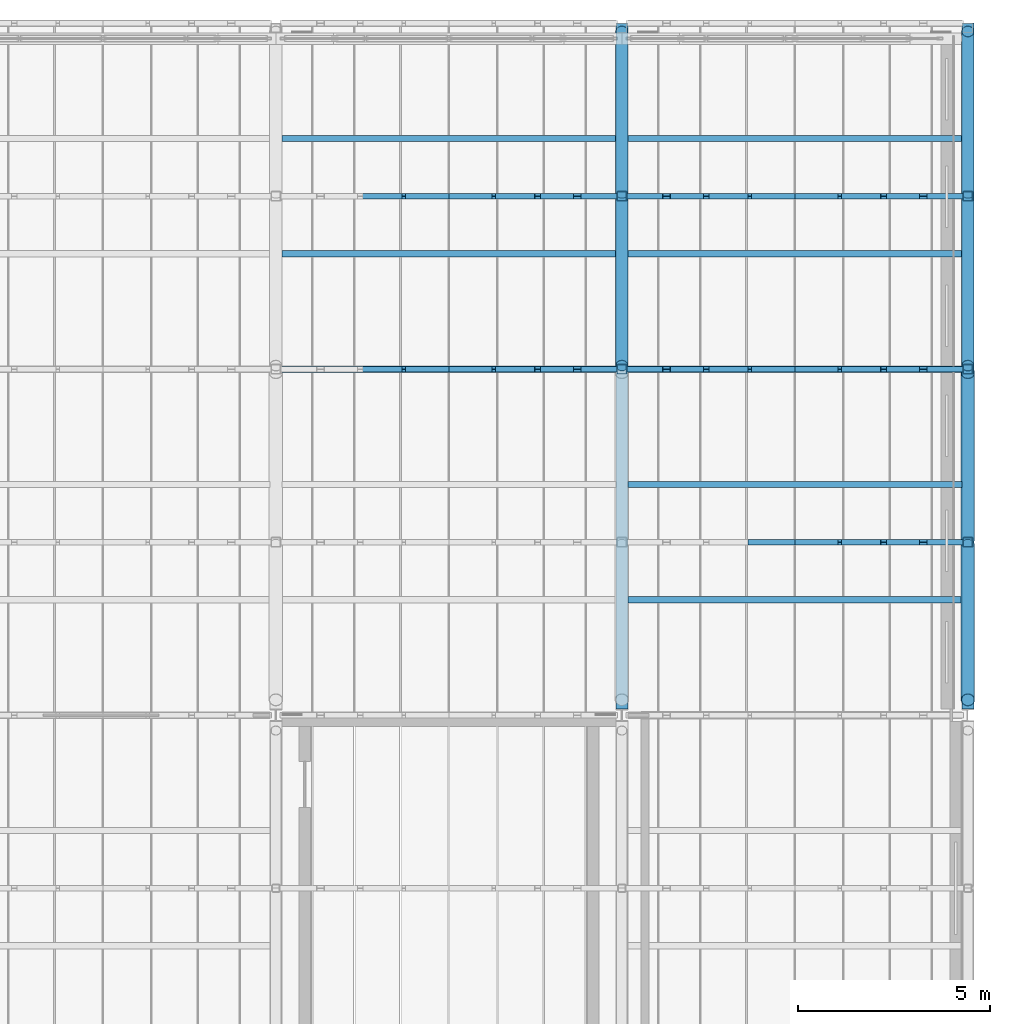
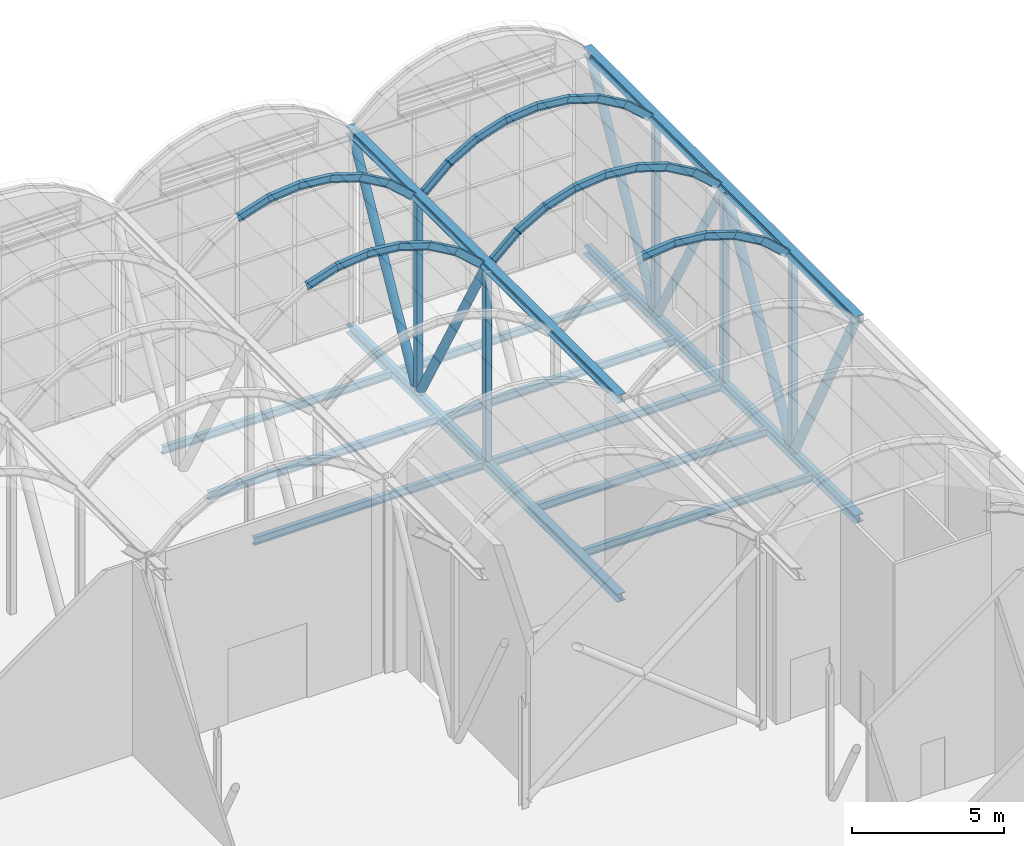
# One storey, part 109 of 144: 44 members, 12 beams.
"""IFC4 building model written with IfcOpenShell, lengths in metres."""

import ifcopenshell
import ifcopenshell.guid

model = None  # the IFC model being written
_history = None  # IfcOwnerHistory: only IFC2X3 demands one
_inside = {}  # id of a spatial element -> (the spatial element, [elements in it])
_under = {}  # id of a project, library or spatial element -> (it, [spatial elements below it])
_declared = {}  # id of a project -> (the project, [libraries it declares])
_typed = {}  # id of a type object -> (the type object, [elements of that type])
_made_of = {}  # id of a material, layer set ... -> (it, [elements and type objects made of it])


def new_model(schema):
    """Start an empty IFC model of exactly this schema.

    Asked for "IFC4X3", IfcOpenShell would pick the latest addendum, in which some entities
    have other attributes; the version numbers below select the first issue.
    IFC2X3 requires an IfcOwnerHistory on every rooted entity: one is made here for all.
    """
    global model, _history
    if schema == "IFC4X3":
        model = ifcopenshell.file(schema_version=(4, 3, 0, 0))
    else:
        model = ifcopenshell.file(schema=schema)
    _inside.clear()
    _under.clear()
    _declared.clear()
    _typed.clear()
    _made_of.clear()
    _history = None
    if model.schema == "IFC2X3":
        org = make("IfcOrganization", Name="unknown")
        user = make(
            "IfcPersonAndOrganization",
            ThePerson=make("IfcPerson", FamilyName="unknown"),
            TheOrganization=org,
        )
        app = make(
            "IfcApplication",
            ApplicationDeveloper=org,
            Version="unknown",
            ApplicationFullName="unknown",
            ApplicationIdentifier="unknown",
        )
        _history = make(
            "IfcOwnerHistory",
            OwningUser=user,
            OwningApplication=app,
            ChangeAction="ADDED",
            CreationDate=0,
        )
    return model


def make(cls, **values):
    """One entity of the class cls with the attributes given. An attribute that is None is left unset."""
    return model.create_entity(
        cls, **{name: value for name, value in values.items() if value is not None}
    )


def rooted(cls, **values):
    """An entity with a GlobalId (a new one), such as an element, a storey or a relation."""
    return make(cls, GlobalId=ifcopenshell.guid.new(), OwnerHistory=_history, **values)


def si_unit(unit_type, name, prefix=None):
    """IfcSIUnit, for example si_unit("LENGTHUNIT", "METRE", prefix="MILLI")."""
    return make("IfcSIUnit", UnitType=unit_type, Prefix=prefix, Name=name)


def assignment(units):
    """IfcUnitAssignment: the units of a project."""
    return None if units is None else make("IfcUnitAssignment", Units=units)


def point(xyz):
    """IfcCartesianPoint."""
    return None if xyz is None else make("IfcCartesianPoint", Coordinates=xyz)


def direction(xyz):
    """IfcDirection."""
    return None if xyz is None else make("IfcDirection", DirectionRatios=xyz)


def frame(location, z_axis=None, x_axis=None):
    """IfcAxis2Placement3D, a coordinate frame: its origin and axes. An axis left out is left unset."""
    return make(
        "IfcAxis2Placement3D",
        Location=point(location),
        Axis=direction(z_axis),
        RefDirection=direction(x_axis),
    )


def frame_2d(location, x_axis=None):
    """IfcAxis2Placement2D, a coordinate frame in the plane: its origin and x axis."""
    return make(
        "IfcAxis2Placement2D", Location=point(location), RefDirection=direction(x_axis)
    )


def origin():
    """The frame at (0, 0, 0) with its axes left unset."""
    return frame((0.0, 0.0, 0.0))


def origin_2d():
    """The frame at (0, 0) in the plane with its x axis left unset."""
    return frame_2d((0.0, 0.0))


def place(relative_to, where):
    """IfcLocalPlacement: puts the frame where relative to a parent placement (None: the world)."""
    return make(
        "IfcLocalPlacement", PlacementRelTo=relative_to, RelativePlacement=where
    )


def context(
    kind, dimensions, precision=None, world=None, true_north=None, identifier=None
):
    """IfcGeometricRepresentationContext, for example the 3D "Model" context."""
    return make(
        "IfcGeometricRepresentationContext",
        ContextIdentifier=identifier,
        ContextType=kind,
        CoordinateSpaceDimension=dimensions,
        Precision=precision,
        WorldCoordinateSystem=world,
        TrueNorth=true_north,
    )


def subcontext(parent, identifier, kind, view, scale=None):
    """IfcGeometricRepresentationSubContext, for example "Body" below "Model"."""
    return make(
        "IfcGeometricRepresentationSubContext",
        ContextIdentifier=identifier,
        ContextType=kind,
        ParentContext=parent,
        TargetScale=scale,
        TargetView=view,
    )


def project(units=None, contexts=None):
    """IfcProject with its units and contexts."""
    return rooted(
        "IfcProject",
        Name="project",
        RepresentationContexts=contexts,
        UnitsInContext=assignment(units),
    )


def spatial(cls, under=None, at=None, **own):
    """A site, building, storey or space (cls), placed at a placement, below another one or the project."""
    s = rooted(cls, ObjectPlacement=at, **own)
    if under is not None:
        _under.setdefault(under.id(), (under, []))[1].append(s)
    return s


def profile(cls, at=None, kind="AREA", **sizes):
    """A parametric profile (cls). Its sizes go by their IFC names, for example OverallWidth=200.0."""
    return make(cls, ProfileType=kind, Position=at, **sizes)


def hollow_rectangle(**sizes):
    """IfcRectangleHollowProfileDef."""
    return profile("IfcRectangleHollowProfileDef", **sizes)


def hollow_circle(**sizes):
    """IfcCircleHollowProfileDef."""
    return profile("IfcCircleHollowProfileDef", **sizes)


def i_section(**sizes):
    """IfcIShapeProfileDef."""
    return profile("IfcIShapeProfileDef", **sizes)


def extrude(swept, where, along, depth):
    """IfcExtrudedAreaSolid: the profile swept, set in the frame where, extruded along a direction by depth."""
    return make(
        "IfcExtrudedAreaSolid",
        SweptArea=swept,
        Position=where,
        ExtrudedDirection=direction(along),
        Depth=depth,
    )


def shape(context_of_items, identifier, shape_type, items):
    """IfcShapeRepresentation: the items that make up one representation, for example the "Body"."""
    return make(
        "IfcShapeRepresentation",
        ContextOfItems=context_of_items,
        RepresentationIdentifier=identifier,
        RepresentationType=shape_type,
        Items=items,
    )


def material(Name=None, Category=None):
    """IfcMaterial."""
    return make("IfcMaterial", Name=Name, Category=Category)


def material_profile(
    of_material, cross_section, Name=None, Category=None, Priority=None
):
    """IfcMaterialProfile: a cross section and its material."""
    return make(
        "IfcMaterialProfile",
        Name=Name,
        Material=of_material,
        Profile=cross_section,
        Priority=Priority,
        Category=Category,
    )


def profile_set(profiles, Name=None, composite=None):
    """IfcMaterialProfileSet."""
    return make(
        "IfcMaterialProfileSet",
        Name=Name,
        MaterialProfiles=profiles,
        CompositeProfile=composite,
    )


def made_of(thing, what):
    """Note that an element or type object is made of a material, layer set ...; save() writes the relation."""
    if what is not None:
        _made_of.setdefault(what.id(), (what, []))[1].append(thing)
    return thing


def type_object(cls, material=None, **own):
    """A type object (cls), such as IfcWallType, which elements share."""
    return made_of(rooted(cls, **own), material)


def element(
    cls,
    number,
    at=None,
    inside=None,
    cuts=None,
    type_object=None,
    material=None,
    context=None,
    identifier="Body",
    shape_type=None,
    held_by="IfcProductDefinitionShape",
    body=None,
    shapes=None,
    **own,
):
    """One element of the class cls, such as IfcWall. Its Tag is "e" and its number.

    at: its placement. inside: the storey or other place that contains it. cuts: it is an
    opening in that element (IfcRelVoidsElement). A single representation is given by context,
    identifier, shape_type and body (its items); several are given by shapes. held_by: the class
    of the entity that holds the representations. save() writes the other relations.
    """
    e = rooted(cls, Tag="e%d" % number, ObjectPlacement=at, **own)
    if body is not None:
        shapes = [shape(context, identifier, shape_type, body)]
    if shapes is not None:
        e.Representation = make(held_by, Representations=shapes)
    if inside is not None:
        _inside.setdefault(inside.id(), (inside, []))[1].append(e)
    if cuts is not None:
        rooted(
            "IfcRelVoidsElement", RelatingBuildingElement=cuts, RelatedOpeningElement=e
        )
    if type_object is not None:
        _typed.setdefault(type_object.id(), (type_object, []))[1].append(e)
    return made_of(e, material)


def aggregate(whole, parts):
    """IfcRelAggregates: a whole, such as a stair, and the parts it consists of."""
    return rooted("IfcRelAggregates", RelatingObject=whole, RelatedObjects=parts)


def save(model, path):
    """Write the relations noted so far, then the file.

    IfcRelAggregates (storeys below a building ...), IfcRelContainedInSpatialStructure (elements
    in a storey), IfcRelDefinesByType, IfcRelAssociatesMaterial and IfcRelDeclares: one each for
    every whole, place, type object, material and project.
    """
    for whole, parts in _under.values():
        aggregate(whole, parts)
    for where, things in _inside.values():
        rooted(
            "IfcRelContainedInSpatialStructure",
            RelatedElements=things,
            RelatingStructure=where,
        )
    for kind, things in _typed.values():
        rooted("IfcRelDefinesByType", RelatedObjects=things, RelatingType=kind)
    for what, things in _made_of.values():
        rooted("IfcRelAssociatesMaterial", RelatedObjects=things, RelatingMaterial=what)
    for by, libraries in _declared.values():
        rooted("IfcRelDeclares", RelatingContext=by, RelatedDefinitions=libraries)
    model.write(path)


model = new_model("IFC4")

# Units and contexts
model_context = context("Model", 3, precision=1e-05, world=origin(), true_north=direction((0.0, 1.0)))
body_context = subcontext(model_context, "Body", "Model", "MODEL_VIEW")
ifc_project = project(units=[si_unit("LENGTHUNIT", "METRE"), si_unit("AREAUNIT", "SQUARE_METRE"), si_unit("VOLUMEUNIT", "CUBIC_METRE"), si_unit("PLANEANGLEUNIT", "RADIAN"), si_unit("MASSUNIT", "GRAM", prefix="KILO")], contexts=[model_context])

# Site, building, storey
site_placement = place(None, origin())
site = spatial("IfcSite", under=ifc_project, at=site_placement, CompositionType="ELEMENT")
building_placement = place(site_placement, origin())
building = spatial("IfcBuilding", under=site, at=building_placement, Name="Shorebreak Coast Museum", CompositionType="ELEMENT")
storey_placement = place(building_placement, frame((0.0, 0.0, 36.0)))
storey = spatial("IfcBuildingStorey", under=building, at=storey_placement, Name="L06", CompositionType="ELEMENT", Elevation=36.0)

# Beams
ifc_material_1 = material(Name="Steel Grade 300", Category="steel")
ifc_material_profile_1 = material_profile(ifc_material_1, i_section(OverallWidth=0.166015625, OverallDepth=0.30712890625, WebThickness=0.006591796875, FlangeThickness=0.01171875, FilletRadius=0.011474609375, at=origin_2d()), Name="310UB46.2")
ifc_profile_set_1 = profile_set([ifc_material_profile_1], Name="Steel Grade 300")
beam_type_1 = type_object("IfcBeamType", Name="Floor girder east-west 310UB46.2", PredefinedType="BEAM", material=ifc_profile_set_1)
for number, where, z_axis, x_axis, name in (
    (1, (99.155517578125, 126.0, -0.32861328125), (1.0, 0.0, 0.0), (0.0, 1.0, 0.0), "Floor girder east-west L06 12R"),
    (2, (108.155517578125, 126.0, -0.32861328125), (1.0, 0.0, 0.0), (0.0, 1.0, 0.0), "Floor girder east-west L06 13R"),
):
    element("IfcBeam", number, at=place(storey_placement, frame(where, z_axis=z_axis, x_axis=x_axis)), inside=storey, type_object=beam_type_1, Name=name, PredefinedType="BEAM", context=body_context, shape_type="SweptSolid", body=[
        extrude(i_section(OverallWidth=0.166015625, OverallDepth=0.30712890625, WebThickness=0.006591796875, FlangeThickness=0.01171875, FilletRadius=0.011474609375, at=origin_2d()), origin(), (0.0, 0.0, 1.0), 8.68896484375),
    ])
ifc_material_2 = material(Name="Steel Grade 300", Category="steel")
ifc_material_profile_2 = material_profile(ifc_material_2, i_section(OverallWidth=0.166015625, OverallDepth=0.30712890625, WebThickness=0.006591796875, FlangeThickness=0.01171875, FilletRadius=0.011474609375, at=origin_2d()), Name="310UB46.2")
ifc_profile_set_2 = profile_set([ifc_material_profile_2], Name="Steel Grade 300")
beam_type_2 = type_object("IfcBeamType", Name="Floor joist 310UB46.2", PredefinedType="JOIST", material=ifc_profile_set_2)
for number, where, z_axis, x_axis, name in (
    (3, (108.155517578125, 120.0, -0.32861328125), (1.0, 0.0, 0.0), (0.0, 1.0, 0.0), "Floor joist L06 bay 13P at 3000 mm"),
    (4, (108.155517578125, 123.0, -0.32861328125), (1.0, 0.0, 0.0), (0.0, 1.0, 0.0), "Floor joist L06 bay 13P at 6000 mm"),
    (5, (99.155517578125, 129.0, -0.32861328125), (1.0, 0.0, 0.0), (0.0, 1.0, 0.0), "Floor joist L06 bay 12R at 3000 mm"),
    (6, (99.155517578125, 132.0, -0.32861328125), (1.0, 0.0, 0.0), (0.0, 1.0, 0.0), "Floor joist L06 bay 12R at 6000 mm"),
    (7, (108.155517578125, 129.0, -0.32861328125), (1.0, 0.0, 0.0), (0.0, 1.0, 0.0), "Floor joist L06 bay 13R at 3000 mm"),
    (8, (108.155517578125, 132.0, -0.32861328125), (1.0, 0.0, 0.0), (0.0, 1.0, 0.0), "Floor joist L06 bay 13R at 6000 mm"),
):
    element("IfcBeam", number, at=place(storey_placement, frame(where, z_axis=z_axis, x_axis=x_axis)), inside=storey, type_object=beam_type_2, Name=name, PredefinedType="JOIST", context=body_context, shape_type="SweptSolid", body=[
        extrude(i_section(OverallWidth=0.166015625, OverallDepth=0.30712890625, WebThickness=0.006591796875, FlangeThickness=0.01171875, FilletRadius=0.011474609375, at=origin_2d()), origin(), (0.0, 0.0, 1.0), 8.68896484375),
    ])
ifc_material_3 = material(Name="Steel Grade 300", Category="steel")
ifc_material_profile_3 = material_profile(ifc_material_3, i_section(OverallWidth=0.30908203125, OverallDepth=0.320556640625, WebThickness=0.013916015625, FlangeThickness=0.021728515625, FilletRadius=0.0166015625, at=origin_2d()), Name="310UC137")
ifc_profile_set_3 = profile_set([ifc_material_profile_3], Name="Steel Grade 300")
beam_type_3 = type_object("IfcBeamType", Name="Transfer truss chord 310UC137", PredefinedType="BEAM", material=ifc_profile_set_3)
for number, where, z_axis, x_axis, name in (
    (9, (108.0, 117.16357421875, -0.335205078125), (0.0, 1.0, 0.0), (-1.0, 0.0, 0.0), "Transfer truss TR7 chord C08"),
    (10, (117.0, 117.16357421875, -0.335205078125), (0.0, 1.0, 0.0), (-1.0, 0.0, 0.0), "Transfer truss TR8 chord C08"),
):
    element("IfcBeam", number, at=place(storey_placement, frame(where, z_axis=z_axis, x_axis=x_axis)), inside=storey, type_object=beam_type_3, Name=name, PredefinedType="BEAM", context=body_context, shape_type="SweptSolid", body=[
        extrude(i_section(OverallWidth=0.30908203125, OverallDepth=0.320556640625, WebThickness=0.013916015625, FlangeThickness=0.021728515625, FilletRadius=0.0166015625, at=origin_2d()), origin(), (0.0, 0.0, 1.0), 17.83642578125),
    ])
ifc_material_4 = material(Name="Steel Grade 300", Category="steel")
ifc_material_profile_4 = material_profile(ifc_material_4, i_section(OverallWidth=0.31103515625, OverallDepth=0.3271484375, WebThickness=0.015625, FlangeThickness=0.02490234375, FilletRadius=0.0166015625, at=origin_2d()), Name="310UC158")
ifc_profile_set_4 = profile_set([ifc_material_profile_4], Name="Steel Grade 300")
beam_type_4 = type_object("IfcBeamType", Name="Transfer truss chord 310UC158", PredefinedType="BEAM", material=ifc_profile_set_4)
for number, where, z_axis, x_axis, name in (
    (11, (108.0, 117.16357421875, 7.621337890625), (0.0, 1.0, 0.0), (-1.0, 0.0, 0.0), "Transfer truss TR7 chord C12"),
    (12, (117.0, 117.16357421875, 7.621337890625), (0.0, 1.0, 0.0), (-1.0, 0.0, 0.0), "Transfer truss TR8 chord C12"),
):
    element("IfcBeam", number, at=place(storey_placement, frame(where, z_axis=z_axis, x_axis=x_axis)), inside=storey, type_object=beam_type_4, Name=name, PredefinedType="BEAM", context=body_context, shape_type="SweptSolid", body=[
        extrude(i_section(OverallWidth=0.31103515625, OverallDepth=0.3271484375, WebThickness=0.015625, FlangeThickness=0.02490234375, FilletRadius=0.0166015625, at=origin_2d()), origin(), (0.0, 0.0, 1.0), 17.83642578125),
    ])

# Members
ifc_material_5 = material(Name="Steel Grade C350L0", Category="steel")
ifc_material_profile_5 = material_profile(ifc_material_5, hollow_circle(Radius=0.161865234375, WallThickness=0.009521484375, at=origin_2d()), Name="323.9x9.5 CHS")
ifc_profile_set_5 = profile_set([ifc_material_profile_5], Name="Steel Grade C350L0")
member_type_1 = type_object("IfcMemberType", Name="Transfer truss diagonal 323.9x9.5 CHS", PredefinedType="BRACE", material=ifc_profile_set_5)
member_1_placement = place(storey_placement, frame((108.0, 130.4091796875, -0.175048828125), z_axis=(0.0, -0.492269166118, 0.870443029778), x_axis=(1.0, 0.0, 0.0)))
element("IfcMember", 13, at=member_1_placement, inside=storey, type_object=member_type_1, Name="Transfer truss TR7 diagonal D17", PredefinedType="BRACE", context=body_context, shape_type="SweptSolid", body=[
    extrude(hollow_circle(Radius=0.161865234375, WallThickness=0.009521484375, at=origin_2d()), origin(), (0.0, 0.0, 1.0), 8.768798828125),
])
member_2_placement = place(storey_placement, frame((108.0, 130.588134765625, -0.175048828125), z_axis=(0.0, 0.481806847745, 0.876277445485), x_axis=(-1.0, 0.0, 0.0)))
element("IfcMember", 14, at=member_2_placement, inside=storey, type_object=member_type_1, Name="Transfer truss TR7 diagonal D18", PredefinedType="BRACE", context=body_context, shape_type="SweptSolid", body=[
    extrude(hollow_circle(Radius=0.161865234375, WallThickness=0.009521484375, at=origin_2d()), origin(), (0.0, 0.0, 1.0), 8.71044921875),
])
member_3_placement = place(storey_placement, frame((117.0, 130.4091796875, -0.175048828125), z_axis=(0.0, -0.492269166118, 0.870443029778), x_axis=(1.0, 0.0, 0.0)))
element("IfcMember", 15, at=member_3_placement, inside=storey, type_object=member_type_1, Name="Transfer truss TR8 diagonal D17", PredefinedType="BRACE", context=body_context, shape_type="SweptSolid", body=[
    extrude(hollow_circle(Radius=0.161865234375, WallThickness=0.009521484375, at=origin_2d()), origin(), (0.0, 0.0, 1.0), 8.768798828125),
])
member_4_placement = place(storey_placement, frame((117.0, 130.588134765625, -0.175048828125), z_axis=(0.0, 0.481806847745, 0.876277445485), x_axis=(-1.0, 0.0, 0.0)))
element("IfcMember", 16, at=member_4_placement, inside=storey, type_object=member_type_1, Name="Transfer truss TR8 diagonal D18", PredefinedType="BRACE", context=body_context, shape_type="SweptSolid", body=[
    extrude(hollow_circle(Radius=0.161865234375, WallThickness=0.009521484375, at=origin_2d()), origin(), (0.0, 0.0, 1.0), 8.71044921875),
])
ifc_material_6 = material(Name="Steel Grade C350L0", Category="steel")
ifc_material_profile_6 = material_profile(ifc_material_6, hollow_circle(Radius=0.177734375, WallThickness=0.0126953125, at=origin_2d()), Name="355.6x12.7 CHS")
ifc_profile_set_6 = profile_set([ifc_material_profile_6], Name="Steel Grade C350L0")
member_type_2 = type_object("IfcMemberType", Name="Transfer truss diagonal 355.6x12.7 CHS", PredefinedType="BRACE", material=ifc_profile_set_6)
member_5_placement = place(storey_placement, frame((117.0, 121.415771484375, -0.175048828125), z_axis=(0.0, -0.465641431585, 0.884973478242), x_axis=(1.0, 0.0, 0.0)))
element("IfcMember", 17, at=member_5_placement, inside=storey, type_object=member_type_2, Name="Transfer truss TR8 diagonal D15", PredefinedType="BRACE", context=body_context, shape_type="SweptSolid", body=[
    extrude(hollow_circle(Radius=0.177734375, WallThickness=0.0126953125, at=origin_2d()), origin(), (0.0, 0.0, 1.0), 8.625),
])
member_6_placement = place(storey_placement, frame((117.0, 121.5908203125, -0.175048828125), z_axis=(0.0, 0.492269166118, 0.870443029778), x_axis=(-1.0, 0.0, 0.0)))
element("IfcMember", 18, at=member_6_placement, inside=storey, type_object=member_type_2, Name="Transfer truss TR8 diagonal D16", PredefinedType="BRACE", context=body_context, shape_type="SweptSolid", body=[
    extrude(hollow_circle(Radius=0.177734375, WallThickness=0.0126953125, at=origin_2d()), origin(), (0.0, 0.0, 1.0), 8.768798828125),
])
ifc_material_7 = material(Name="Steel Grade C450L0", Category="steel")
ifc_material_profile_7 = material_profile(ifc_material_7, hollow_rectangle(XDim=0.25, YDim=0.25, WallThickness=0.009033203125, InnerFilletRadius=0.013427734375, OuterFilletRadius=0.0224609375, at=origin_2d()), Name="250x250x9.0 SHS")
ifc_profile_set_7 = profile_set([ifc_material_profile_7], Name="Steel Grade C450L0")
member_type_3 = type_object("IfcMemberType", Name="Transfer truss strut 250x250x9.0 SHS", PredefinedType="STRUT", material=ifc_profile_set_7)
for number, where, z_axis, x_axis, name in (
    (19, (108.0, 126.0, -0.175048828125), (0.0, 0.0, 1.0), (1.0, 0.0, 0.0), "Transfer truss TR7 strut V12"),
    (20, (108.0, 130.5, -0.175048828125), (0.0, 0.0, 1.0), (1.0, 0.0, 0.0), "Transfer truss TR7 strut V13"),
    (21, (117.0, 121.5, -0.175048828125), (0.0, 0.0, 1.0), (1.0, 0.0, 0.0), "Transfer truss TR8 strut V11"),
    (22, (117.0, 126.0, -0.175048828125), (0.0, 0.0, 1.0), (1.0, 0.0, 0.0), "Transfer truss TR8 strut V12"),
    (23, (117.0, 130.5, -0.175048828125), (0.0, 0.0, 1.0), (1.0, 0.0, 0.0), "Transfer truss TR8 strut V13"),
):
    element("IfcMember", number, at=place(storey_placement, frame(where, z_axis=z_axis, x_axis=x_axis)), inside=storey, type_object=member_type_3, Name=name, PredefinedType="STRUT", context=body_context, shape_type="SweptSolid", body=[
        extrude(hollow_rectangle(XDim=0.25, YDim=0.25, WallThickness=0.009033203125, InnerFilletRadius=0.013427734375, OuterFilletRadius=0.0224609375, at=origin_2d()), origin(), (0.0, 0.0, 1.0), 7.6328125),
    ])
ifc_material_8 = material(Name="Steel Grade 300", Category="steel")
ifc_material_profile_8 = material_profile(ifc_material_8, i_section(OverallWidth=0.14892578125, OverallDepth=0.298095703125, WebThickness=0.005615234375, FlangeThickness=0.008056640625, FilletRadius=0.012939453125, at=origin_2d()), Name="310UB32.0")
ifc_profile_set_8 = profile_set([ifc_material_profile_8], Name="Steel Grade 300")
member_type_4 = type_object("IfcMemberType", Name="Vault arch rib 310UB32.0", PredefinedType="RAFTER", material=ifc_profile_set_8)
for number, where, z_axis, x_axis, name in (
    (24, (101.165283203125, 126.0, 9.152099609375), (0.951225984169, 0.0, 0.308494938436), (0.0, 1.0, 0.0), "Vault arch rib V6 line 08 facet 3"),
    (25, (101.165283203125, 130.5, 9.152099609375), (0.951225984169, 0.0, 0.308494938436), (0.0, 1.0, 0.0), "Vault arch rib V6 line 09 facet 3"),
    (26, (102.298828125, 126.0, 9.52294921875), (0.994539296345, 0.0, 0.104362771266), (0.0, 1.0, 0.0), "Vault arch rib V6 line 08 facet 4"),
    (27, (102.298828125, 130.5, 9.52294921875), (0.994539296345, 0.0, 0.104362771266), (0.0, 1.0, 0.0), "Vault arch rib V6 line 09 facet 4"),
    (28, (103.484375, 126.0, 9.650634765625), (0.994539296345, 0.0, -0.104362771266), (0.0, 1.0, 0.0), "Vault arch rib V6 line 08 facet 5"),
    (29, (103.484375, 130.5, 9.650634765625), (0.994539296345, 0.0, -0.104362771266), (0.0, 1.0, 0.0), "Vault arch rib V6 line 09 facet 5"),
    (30, (104.6708984375, 126.0, 9.529541015625), (0.951225984169, 0.0, -0.308494938436), (0.0, 1.0, 0.0), "Vault arch rib V6 line 08 facet 6"),
    (31, (104.6708984375, 130.5, 9.529541015625), (0.951225984169, 0.0, -0.308494938436), (0.0, 1.0, 0.0), "Vault arch rib V6 line 09 facet 6"),
    (32, (105.80615234375, 126.0, 9.16455078125), (0.866444596228, 0.0, -0.499273233478), (0.0, 1.0, 0.0), "Vault arch rib V6 line 08 facet 7"),
    (33, (105.80615234375, 130.5, 9.16455078125), (0.866444596228, 0.0, -0.499273233478), (0.0, 1.0, 0.0), "Vault arch rib V6 line 09 facet 7"),
):
    element("IfcMember", number, at=place(storey_placement, frame(where, z_axis=z_axis, x_axis=x_axis)), inside=storey, type_object=member_type_4, Name=name, PredefinedType="RAFTER", context=body_context, shape_type="SweptSolid", body=[
        extrude(i_section(OverallWidth=0.14892578125, OverallDepth=0.298095703125, WebThickness=0.005615234375, FlangeThickness=0.008056640625, FilletRadius=0.012939453125, at=origin_2d()), origin(), (0.0, 0.0, 1.0), 1.223388671875),
    ])
for number, where, z_axis, x_axis, name in (
    (34, (106.841064453125, 126.0, 8.572021484375), (0.743894909598, 0.0, -0.668296613394), (0.0, 1.0, 0.0), "Vault arch rib V6 line 08 facet 8"),
    (35, (106.841064453125, 130.5, 8.572021484375), (0.743894909598, 0.0, -0.668296613394), (0.0, 1.0, 0.0), "Vault arch rib V6 line 09 facet 8"),
    (36, (108.21240234375, 126.0, 7.7216796875), (0.743894909598, 0.0, 0.668296613394), (0.0, 1.0, 0.0), "Vault arch rib V7 line 08 facet 1"),
    (37, (108.21240234375, 130.5, 7.7216796875), (0.743894909598, 0.0, 0.668296613394), (0.0, 1.0, 0.0), "Vault arch rib V7 line 09 facet 1"),
):
    element("IfcMember", number, at=place(storey_placement, frame(where, z_axis=z_axis, x_axis=x_axis)), inside=storey, type_object=member_type_4, Name=name, PredefinedType="RAFTER", context=body_context, shape_type="SweptSolid", body=[
        extrude(i_section(OverallWidth=0.14892578125, OverallDepth=0.298095703125, WebThickness=0.005615234375, FlangeThickness=0.008056640625, FilletRadius=0.012939453125, at=origin_2d()), origin(), (0.0, 0.0, 1.0), 1.2724609375),
    ])
for number, where, z_axis, x_axis, name in (
    (38, (109.1337890625, 126.0, 8.5537109375), (0.866444596228, 0.0, 0.499273233478), (0.0, 1.0, 0.0), "Vault arch rib V7 line 08 facet 2"),
    (39, (109.1337890625, 130.5, 8.5537109375), (0.866444596228, 0.0, 0.499273233478), (0.0, 1.0, 0.0), "Vault arch rib V7 line 09 facet 2"),
    (40, (110.165283203125, 126.0, 9.152099609375), (0.951225984169, 0.0, 0.308494938436), (0.0, 1.0, 0.0), "Vault arch rib V7 line 08 facet 3"),
    (41, (110.165283203125, 130.5, 9.152099609375), (0.951225984169, 0.0, 0.308494938436), (0.0, 1.0, 0.0), "Vault arch rib V7 line 09 facet 3"),
    (42, (111.298828125, 121.5, 9.52294921875), (0.994539296345, 0.0, 0.104362771266), (0.0, 1.0, 0.0), "Vault arch rib V7 line 07 facet 4"),
    (43, (111.298828125, 126.0, 9.52294921875), (0.994539296345, 0.0, 0.104362771266), (0.0, 1.0, 0.0), "Vault arch rib V7 line 08 facet 4"),
    (44, (111.298828125, 130.5, 9.52294921875), (0.994539296345, 0.0, 0.104362771266), (0.0, 1.0, 0.0), "Vault arch rib V7 line 09 facet 4"),
    (45, (112.484375, 121.5, 9.650634765625), (0.994539296345, 0.0, -0.104362771266), (0.0, 1.0, 0.0), "Vault arch rib V7 line 07 facet 5"),
    (46, (112.484375, 126.0, 9.650634765625), (0.994539296345, 0.0, -0.104362771266), (0.0, 1.0, 0.0), "Vault arch rib V7 line 08 facet 5"),
    (47, (112.484375, 130.5, 9.650634765625), (0.994539296345, 0.0, -0.104362771266), (0.0, 1.0, 0.0), "Vault arch rib V7 line 09 facet 5"),
    (48, (113.6708984375, 121.5, 9.529541015625), (0.951225984169, 0.0, -0.308494938436), (0.0, 1.0, 0.0), "Vault arch rib V7 line 07 facet 6"),
    (49, (113.6708984375, 126.0, 9.529541015625), (0.951225984169, 0.0, -0.308494938436), (0.0, 1.0, 0.0), "Vault arch rib V7 line 08 facet 6"),
    (50, (113.6708984375, 130.5, 9.529541015625), (0.951225984169, 0.0, -0.308494938436), (0.0, 1.0, 0.0), "Vault arch rib V7 line 09 facet 6"),
    (51, (114.80615234375, 121.5, 9.16455078125), (0.866444596228, 0.0, -0.499273233478), (0.0, 1.0, 0.0), "Vault arch rib V7 line 07 facet 7"),
    (52, (114.80615234375, 126.0, 9.16455078125), (0.866444596228, 0.0, -0.499273233478), (0.0, 1.0, 0.0), "Vault arch rib V7 line 08 facet 7"),
    (53, (114.80615234375, 130.5, 9.16455078125), (0.866444596228, 0.0, -0.499273233478), (0.0, 1.0, 0.0), "Vault arch rib V7 line 09 facet 7"),
):
    element("IfcMember", number, at=place(storey_placement, frame(where, z_axis=z_axis, x_axis=x_axis)), inside=storey, type_object=member_type_4, Name=name, PredefinedType="RAFTER", context=body_context, shape_type="SweptSolid", body=[
        extrude(i_section(OverallWidth=0.14892578125, OverallDepth=0.298095703125, WebThickness=0.005615234375, FlangeThickness=0.008056640625, FilletRadius=0.012939453125, at=origin_2d()), origin(), (0.0, 0.0, 1.0), 1.223388671875),
    ])
for number, where, z_axis, x_axis, name in (
    (54, (115.841064453125, 121.5, 8.572021484375), (0.743894909598, 0.0, -0.668296613394), (0.0, 1.0, 0.0), "Vault arch rib V7 line 07 facet 8"),
    (55, (115.841064453125, 126.0, 8.572021484375), (0.743894909598, 0.0, -0.668296613394), (0.0, 1.0, 0.0), "Vault arch rib V7 line 08 facet 8"),
    (56, (115.841064453125, 130.5, 8.572021484375), (0.743894909598, 0.0, -0.668296613394), (0.0, 1.0, 0.0), "Vault arch rib V7 line 09 facet 8"),
):
    element("IfcMember", number, at=place(storey_placement, frame(where, z_axis=z_axis, x_axis=x_axis)), inside=storey, type_object=member_type_4, Name=name, PredefinedType="RAFTER", context=body_context, shape_type="SweptSolid", body=[
        extrude(i_section(OverallWidth=0.14892578125, OverallDepth=0.298095703125, WebThickness=0.005615234375, FlangeThickness=0.008056640625, FilletRadius=0.012939453125, at=origin_2d()), origin(), (0.0, 0.0, 1.0), 1.2724609375),
    ])

save(model, "model.ifc")
